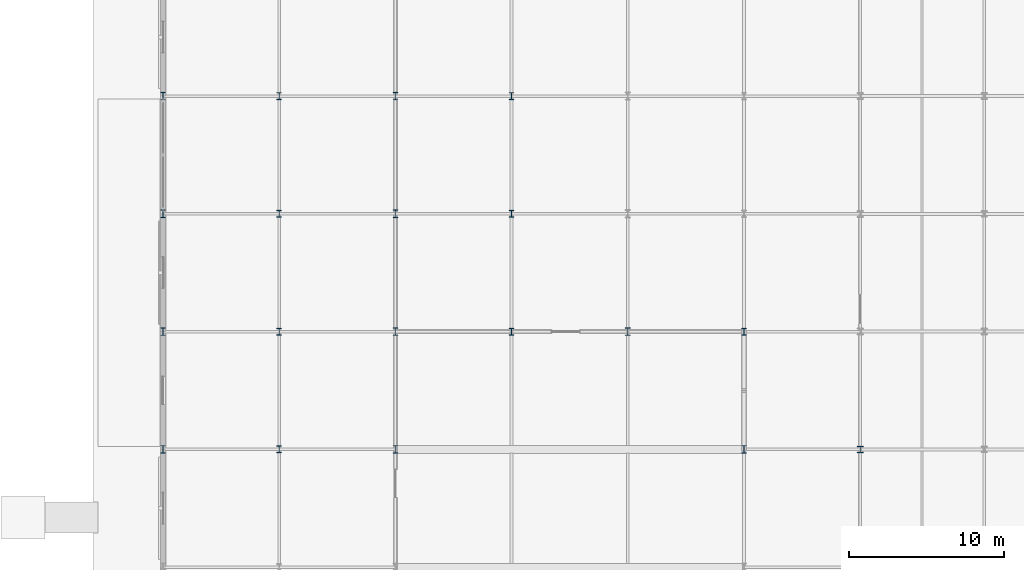
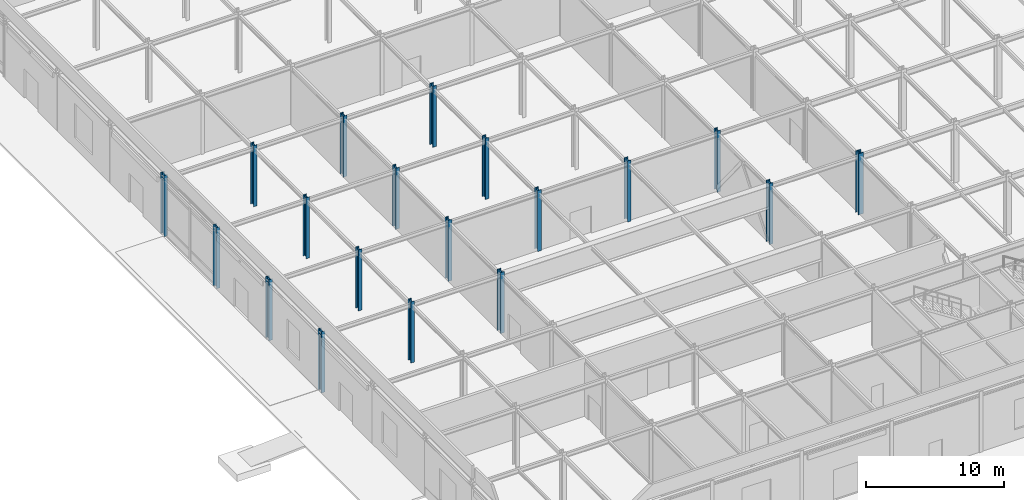
# One storey, part 3 of 89: 19 columns.
"""IFC4 building model written with IfcOpenShell, lengths in metres."""

from ifc_helpers import new_model, si_unit, direction, frame, origin, origin_2d, place, context, subcontext, project, spatial, i_section, extrude, material, material_profile, profile_set, type_object, element, save


model = new_model("IFC4")

# Units and contexts
model_context = context("Model", 3, precision=1e-05, world=origin(), true_north=direction((0.0, 1.0)))
body_context = subcontext(model_context, "Body", "Model", "MODEL_VIEW")
ifc_project = project(units=[si_unit("LENGTHUNIT", "METRE"), si_unit("AREAUNIT", "SQUARE_METRE"), si_unit("VOLUMEUNIT", "CUBIC_METRE"), si_unit("PLANEANGLEUNIT", "RADIAN"), si_unit("MASSUNIT", "GRAM", prefix="KILO")], contexts=[model_context])

# Site, building, storey
site_placement = place(None, origin())
site = spatial("IfcSite", under=ifc_project, at=site_placement, CompositionType="ELEMENT")
building_placement = place(site_placement, origin())
building = spatial("IfcBuilding", under=site, at=building_placement, Name="Shalkamar Park Central Library", CompositionType="ELEMENT")
storey_placement = place(building_placement, origin())
storey = spatial("IfcBuildingStorey", under=building, at=storey_placement, Name="L01", CompositionType="ELEMENT", Elevation=0.0)

# Columns
ifc_material = material(Name="Steel S355", Category="steel")
ifc_material_profile_1 = material_profile(ifc_material, i_section(OverallWidth=0.41796875, OverallDepth=0.455078125, WebThickness=0.0419921875, FlangeThickness=0.067626953125, FilletRadius=0.014892578125, at=origin_2d()), Name="HD 400x551")
ifc_profile_set_1 = profile_set([ifc_material_profile_1], Name="Steel S355")
column_type_1 = type_object("IfcColumnType", Name="Column Steel HD400x551", PredefinedType="COLUMN", material=ifc_profile_set_1)
column_placement = place(storey_placement, frame((165.0, 270.39990234375, 0.0), z_axis=(0.0, 0.0, 1.0), x_axis=(1.0, 0.0, 0.0)))
element("IfcColumn", 1, at=column_placement, inside=storey, type_object=column_type_1, Name="Column 07/E (L01)", PredefinedType="COLUMN", context=body_context, shape_type="SweptSolid", body=[
    extrude(i_section(OverallWidth=0.41796875, OverallDepth=0.455078125, WebThickness=0.0419921875, FlangeThickness=0.067626953125, FilletRadius=0.014892578125, at=origin_2d()), origin(), (0.0, 0.0, 1.0), 5.39990234375),
])
ifc_material_profile_2 = material_profile(ifc_material, i_section(OverallWidth=0.300048828125, OverallDepth=0.449951171875, WebThickness=0.013916015625, FlangeThickness=0.02587890625, FilletRadius=0.027099609375, at=origin_2d()), Name="HEB 450")
ifc_profile_set_2 = profile_set([ifc_material_profile_2], Name="Steel S355")
column_type_2 = type_object("IfcColumnType", Name="Column Steel HEB450", PredefinedType="COLUMN", material=ifc_profile_set_2)
for number, where, z_axis, x_axis, name in (
    (2, (127.5, 270.39990234375, 0.0), (0.0, 0.0, 1.0), (1.0, 0.0, 0.0), "Column 02/E (L01)"),
    (3, (127.5, 278.0, 0.0), (0.0, 0.0, 1.0), (1.0, 0.0, 0.0), "Column 02/F (L01)"),
    (4, (127.5, 285.60009765625, 0.0), (0.0, 0.0, 1.0), (1.0, 0.0, 0.0), "Column 02/G (L01)"),
    (5, (127.5, 293.199951171875, 0.0), (0.0, 0.0, 1.0), (1.0, 0.0, 0.0), "Column 02/H (L01)"),
    (6, (142.5, 278.0, 0.0), (0.0, 0.0, 1.0), (1.0, 0.0, 0.0), "Column 04/F (L01)"),
    (7, (142.5, 285.60009765625, 0.0), (0.0, 0.0, 1.0), (1.0, 0.0, 0.0), "Column 04/G (L01)"),
    (8, (142.5, 293.199951171875, 0.0), (0.0, 0.0, 1.0), (1.0, 0.0, 0.0), "Column 04/H (L01)"),
    (9, (157.5, 278.0, 0.0), (0.0, 0.0, 1.0), (1.0, 0.0, 0.0), "Column 06/F (L01)"),
):
    element("IfcColumn", number, at=place(storey_placement, frame(where, z_axis=z_axis, x_axis=x_axis)), inside=storey, type_object=column_type_2, Name=name, PredefinedType="COLUMN", context=body_context, shape_type="SweptSolid", body=[
        extrude(i_section(OverallWidth=0.300048828125, OverallDepth=0.449951171875, WebThickness=0.013916015625, FlangeThickness=0.02587890625, FilletRadius=0.027099609375, at=origin_2d()), origin(), (0.0, 0.0, 1.0), 5.39990234375),
    ])
ifc_material_profile_3 = material_profile(ifc_material, i_section(OverallWidth=0.300048828125, OverallDepth=0.5, WebThickness=0.014404296875, FlangeThickness=0.028076171875, FilletRadius=0.027099609375, at=origin_2d()), Name="HEB 500")
ifc_profile_set_3 = profile_set([ifc_material_profile_3], Name="Steel S355")
column_type_3 = type_object("IfcColumnType", Name="Column Steel HEB500", PredefinedType="COLUMN", material=ifc_profile_set_3)
for number, where, z_axis, x_axis, name in (
    (10, (120.0, 270.39990234375, 0.0), (0.0, 0.0, 1.0), (1.0, 0.0, 0.0), "Column 01/E (L01)"),
    (11, (120.0, 278.0, 0.0), (0.0, 0.0, 1.0), (1.0, 0.0, 0.0), "Column 01/F (L01)"),
    (12, (120.0, 285.60009765625, 0.0), (0.0, 0.0, 1.0), (1.0, 0.0, 0.0), "Column 01/G (L01)"),
    (13, (120.0, 293.199951171875, 0.0), (0.0, 0.0, 1.0), (1.0, 0.0, 0.0), "Column 01/H (L01)"),
    (14, (135.0, 270.39990234375, 0.0), (0.0, 0.0, 1.0), (1.0, 0.0, 0.0), "Column 03/E (L01)"),
    (15, (135.0, 278.0, 0.0), (0.0, 0.0, 1.0), (1.0, 0.0, 0.0), "Column 03/F (L01)"),
    (16, (135.0, 285.60009765625, 0.0), (0.0, 0.0, 1.0), (1.0, 0.0, 0.0), "Column 03/G (L01)"),
    (17, (135.0, 293.199951171875, 0.0), (0.0, 0.0, 1.0), (1.0, 0.0, 0.0), "Column 03/H (L01)"),
    (18, (150.0, 278.0, 0.0), (0.0, 0.0, 1.0), (1.0, 0.0, 0.0), "Column 05/F (L01)"),
    (19, (157.5, 270.39990234375, 0.0), (0.0, 0.0, 1.0), (1.0, 0.0, 0.0), "Column 06/E (L01)"),
):
    element("IfcColumn", number, at=place(storey_placement, frame(where, z_axis=z_axis, x_axis=x_axis)), inside=storey, type_object=column_type_3, Name=name, PredefinedType="COLUMN", context=body_context, shape_type="SweptSolid", body=[
        extrude(i_section(OverallWidth=0.300048828125, OverallDepth=0.5, WebThickness=0.014404296875, FlangeThickness=0.028076171875, FilletRadius=0.027099609375, at=origin_2d()), origin(), (0.0, 0.0, 1.0), 5.39990234375),
    ])

save(model, "model.ifc")
